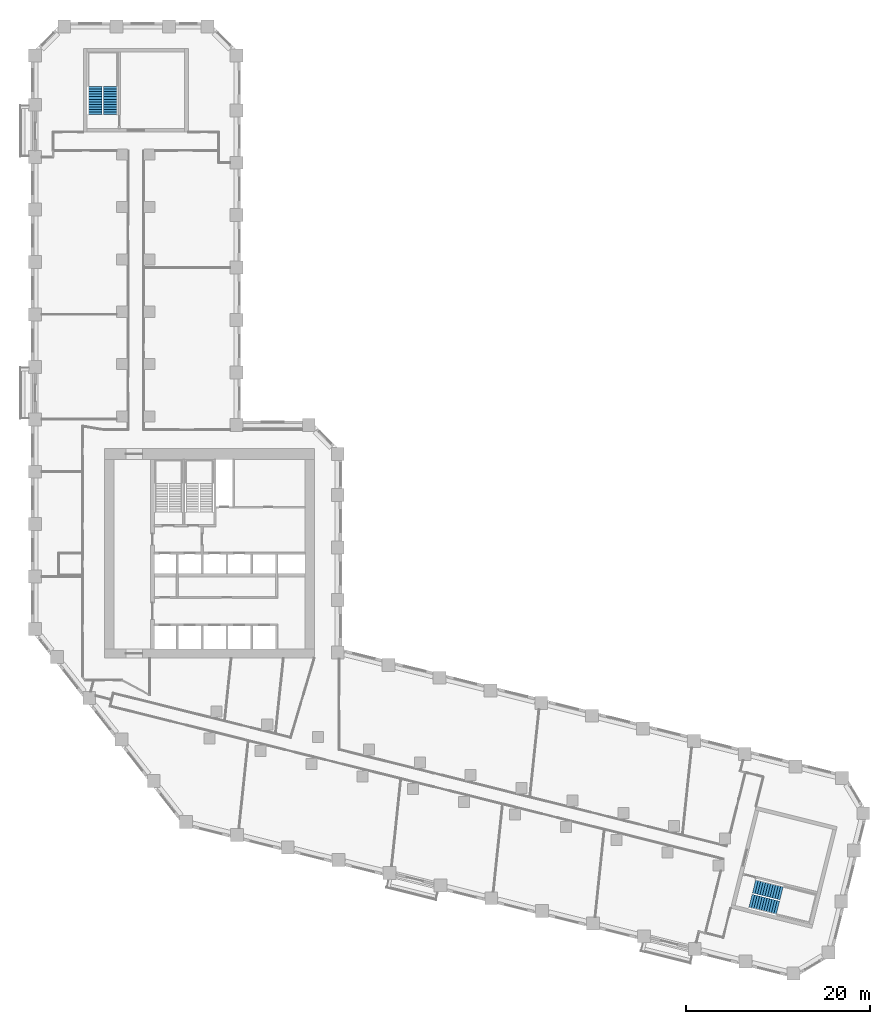
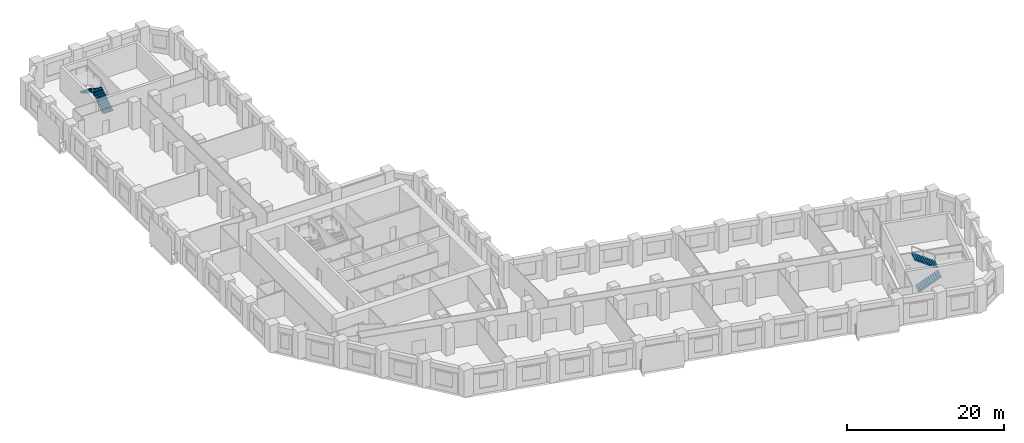
# One storey, part 10 of 11: 4 stair flights, 2 elements without a shape of their own.
"""IFC4 building model written with IfcOpenShell, lengths in metres."""

from ifc_helpers import new_model, si_unit, direction, frame, origin, place, context, subcontext, project, spatial, polyline, outline, extrude, material, type_object, element, aggregate, save


model = new_model("IFC4")

# Units and contexts
model_context = context("Model", 3, precision=1e-05, world=origin(), true_north=direction((0.0, 1.0)))
body_context = subcontext(model_context, "Body", "Model", "MODEL_VIEW")
ifc_project = project(units=[si_unit("LENGTHUNIT", "METRE"), si_unit("AREAUNIT", "SQUARE_METRE"), si_unit("VOLUMEUNIT", "CUBIC_METRE"), si_unit("PLANEANGLEUNIT", "RADIAN"), si_unit("MASSUNIT", "GRAM", prefix="KILO")], contexts=[model_context])

# Site, building, storey
site_placement = place(None, origin())
site = spatial("IfcSite", under=ifc_project, at=site_placement, CompositionType="ELEMENT")
building_placement = place(site_placement, origin())
building = spatial("IfcBuilding", under=site, at=building_placement, Name="Meshkara Civic Tower", CompositionType="ELEMENT")
storey_placement = place(building_placement, frame((0.0, 0.0, 54.0)))
storey = spatial("IfcBuildingStorey", under=building, at=storey_placement, Name="L11", CompositionType="ELEMENT", Elevation=54.0)

# Stair, stair flights
ifc_material_1 = material(Name="Precast concrete C40/50", Category="concrete")
stair_type = type_object("IfcStairType", Name="Exit stair half-turn 24 risers 1500 precast", PredefinedType="HALF_TURN_STAIR", material=ifc_material_1)
stair_1_placement = place(storey_placement, origin())
stair_1 = element("IfcStair", 1, at=stair_1_placement, inside=storey, type_object=stair_type, Name="L11 exit stair A from B2", PredefinedType="HALF_TURN_STAIR")
ifc_material_2 = material(Name="Precast concrete C40/50", Category="concrete")
stair_flight_type = type_object("IfcStairFlightType", Name="Exit stair flight 12 risers 1500 precast", PredefinedType="STRAIGHT", material=ifc_material_2)
stair_flight_1_placement = place(storey_placement, frame((8.625, 73.169921875, 0.0), z_axis=(0.0, 0.0, 1.0), x_axis=(0.0, 1.0, 0.0)))
stair_flight_1 = element("IfcStairFlight", 2, at=stair_flight_1_placement, type_object=stair_flight_type, Name="ESA1 flight 1", NumberOfRisers=12, NumberOfTreads=11, PredefinedType="STRAIGHT", RiserHeight=0.175, TreadLength=0.28, context=body_context, shape_type="SweptSolid", body=[
    extrude(outline(polyline([(0.0, 0.0), (0.0, 0.175048828125), (0.280029296875, 0.175048828125), (0.280029296875, 0.35009765625), (0.56005859375, 0.35009765625), (0.56005859375, 0.52490234375), (0.840087890625, 0.52490234375), (0.840087890625, 0.699951171875), (1.1201171875, 0.699951171875), (1.1201171875, 0.875), (1.39990234375, 0.875), (1.39990234375, 1.050048828125), (1.679931640625, 1.050048828125), (1.679931640625, 1.22509765625), (1.9599609375, 1.22509765625), (1.9599609375, 1.39990234375), (2.239990234375, 1.39990234375), (2.239990234375, 1.574951171875), (2.52001953125, 1.574951171875), (2.52001953125, 1.75), (2.800048828125, 1.75), (2.800048828125, 1.925048828125), (3.080078125, 1.925048828125), (3.080078125, 2.10009765625), (3.080078125, 1.748291015625), (0.28271484375, 0.0), (0.0, 0.0)])), frame((0.0, 0.75, 0.0), z_axis=(0.0, -1.0, 0.0), x_axis=(1.0, 0.0, 0.0)), (0.0, 0.0, 1.0), 1.5),
])
stair_flight_2_placement = place(storey_placement, frame((6.97509765625, 76.25, 2.10009765625), z_axis=(0.0, 0.0, 1.0), x_axis=(0.0, -1.0, 0.0)))
stair_flight_2 = element("IfcStairFlight", 3, at=stair_flight_2_placement, type_object=stair_flight_type, Name="ESA1 flight 2", NumberOfRisers=12, NumberOfTreads=11, PredefinedType="STRAIGHT", RiserHeight=0.175, TreadLength=0.28, context=body_context, shape_type="SweptSolid", body=[
    extrude(outline(polyline([(0.0, 0.0), (0.0, 0.175048828125), (0.280029296875, 0.175048828125), (0.280029296875, 0.35009765625), (0.56005859375, 0.35009765625), (0.56005859375, 0.52490234375), (0.840087890625, 0.52490234375), (0.840087890625, 0.699951171875), (1.1201171875, 0.699951171875), (1.1201171875, 0.875), (1.39990234375, 0.875), (1.39990234375, 1.050048828125), (1.679931640625, 1.050048828125), (1.679931640625, 1.22509765625), (1.9599609375, 1.22509765625), (1.9599609375, 1.39990234375), (2.239990234375, 1.39990234375), (2.239990234375, 1.574951171875), (2.52001953125, 1.574951171875), (2.52001953125, 1.75), (2.800048828125, 1.75), (2.800048828125, 1.925048828125), (3.080078125, 1.925048828125), (3.080078125, 2.10009765625), (3.080078125, 1.748291015625), (0.28271484375, 0.0), (0.0, 0.0)])), frame((0.0, 0.75, 0.0), z_axis=(0.0, -1.0, 0.0), x_axis=(1.0, 0.0, 0.0)), (0.0, 0.0, 1.0), 1.5),
])
aggregate(stair_1, [stair_flight_1, stair_flight_2])

stair_2_placement = place(storey_placement, origin())
stair_2 = element("IfcStair", 4, at=stair_2_placement, inside=storey, type_object=stair_type, Name="L11 exit stair B from B2", PredefinedType="HALF_TURN_STAIR")
stair_flight_3_placement = place(storey_placement, frame((78.214599609375, -12.3125, 0.0), z_axis=(0.0, 0.0, 1.0), x_axis=(0.970260066579, -0.242064873955, 0.0)))
stair_flight_3 = element("IfcStairFlight", 5, at=stair_flight_3_placement, type_object=stair_flight_type, Name="ESB1 flight 1", NumberOfRisers=12, NumberOfTreads=11, PredefinedType="STRAIGHT", RiserHeight=0.175, TreadLength=0.28, context=body_context, shape_type="SweptSolid", body=[
    extrude(outline(polyline([(0.0, 0.0), (0.0, 0.175048828125), (0.280029296875, 0.175048828125), (0.280029296875, 0.35009765625), (0.56005859375, 0.35009765625), (0.56005859375, 0.52490234375), (0.840087890625, 0.52490234375), (0.840087890625, 0.699951171875), (1.1201171875, 0.699951171875), (1.1201171875, 0.875), (1.39990234375, 0.875), (1.39990234375, 1.050048828125), (1.679931640625, 1.050048828125), (1.679931640625, 1.22509765625), (1.9599609375, 1.22509765625), (1.9599609375, 1.39990234375), (2.239990234375, 1.39990234375), (2.239990234375, 1.574951171875), (2.52001953125, 1.574951171875), (2.52001953125, 1.75), (2.800048828125, 1.75), (2.800048828125, 1.925048828125), (3.080078125, 1.925048828125), (3.080078125, 2.10009765625), (3.080078125, 1.748291015625), (0.28271484375, 0.0), (0.0, 0.0)])), frame((0.0, 0.75, 0.0), z_axis=(0.0, -1.0, 0.0), x_axis=(1.0, 0.0, 0.0)), (0.0, 0.0, 1.0), 1.5),
])
stair_flight_4_placement = place(storey_placement, frame((81.6025390625, -11.457275390625, 2.10009765625), z_axis=(0.0, 0.0, 1.0), x_axis=(-0.970260066579, 0.242064873955, 0.0)))
stair_flight_4 = element("IfcStairFlight", 6, at=stair_flight_4_placement, type_object=stair_flight_type, Name="ESB1 flight 2", NumberOfRisers=12, NumberOfTreads=11, PredefinedType="STRAIGHT", RiserHeight=0.175, TreadLength=0.28, context=body_context, shape_type="SweptSolid", body=[
    extrude(outline(polyline([(0.0, 0.0), (0.0, 0.175048828125), (0.280029296875, 0.175048828125), (0.280029296875, 0.35009765625), (0.56005859375, 0.35009765625), (0.56005859375, 0.52490234375), (0.840087890625, 0.52490234375), (0.840087890625, 0.699951171875), (1.1201171875, 0.699951171875), (1.1201171875, 0.875), (1.39990234375, 0.875), (1.39990234375, 1.050048828125), (1.679931640625, 1.050048828125), (1.679931640625, 1.22509765625), (1.9599609375, 1.22509765625), (1.9599609375, 1.39990234375), (2.239990234375, 1.39990234375), (2.239990234375, 1.574951171875), (2.52001953125, 1.574951171875), (2.52001953125, 1.75), (2.800048828125, 1.75), (2.800048828125, 1.925048828125), (3.080078125, 1.925048828125), (3.080078125, 2.10009765625), (3.080078125, 1.748291015625), (0.28271484375, 0.0), (0.0, 0.0)])), frame((0.0, 0.75, 0.0), z_axis=(0.0, -1.0, 0.0), x_axis=(1.0, 0.0, 0.0)), (0.0, 0.0, 1.0), 1.5),
])
aggregate(stair_2, [stair_flight_3, stair_flight_4])

save(model, "model.ifc")
